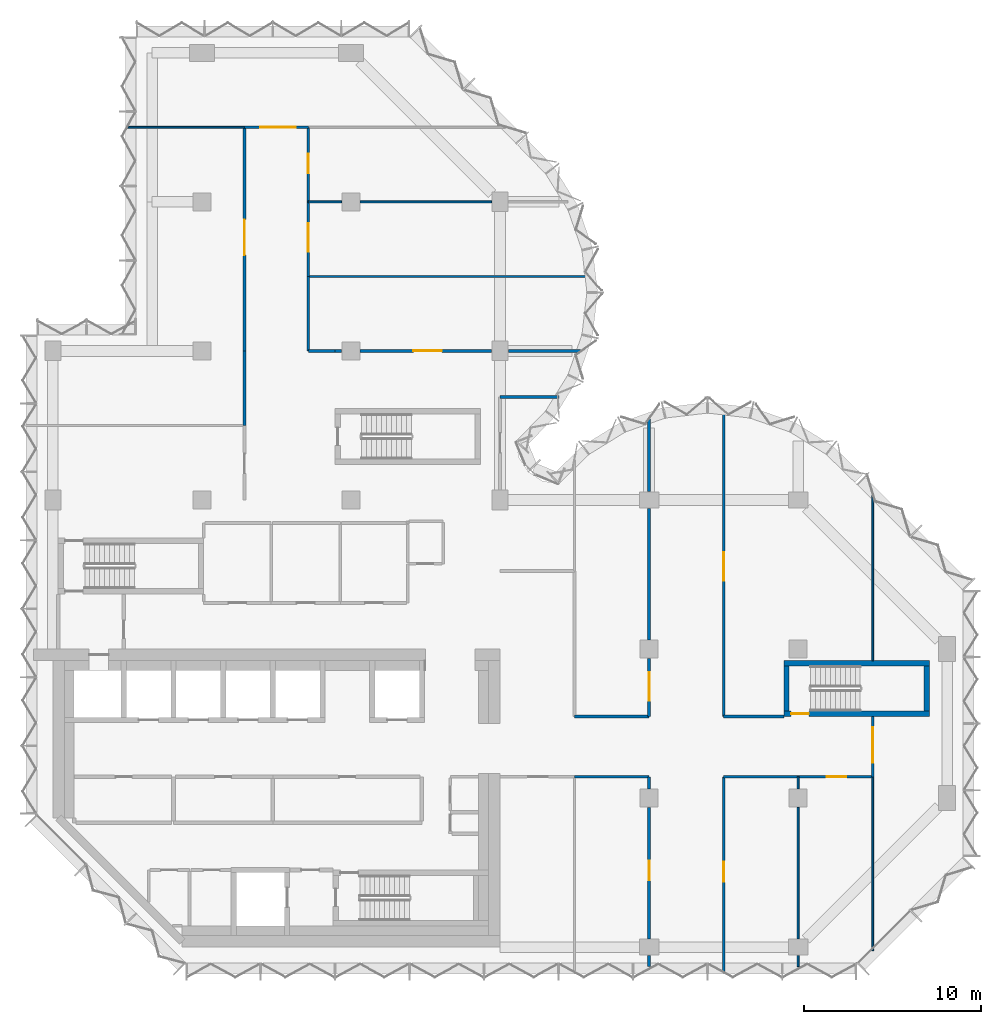
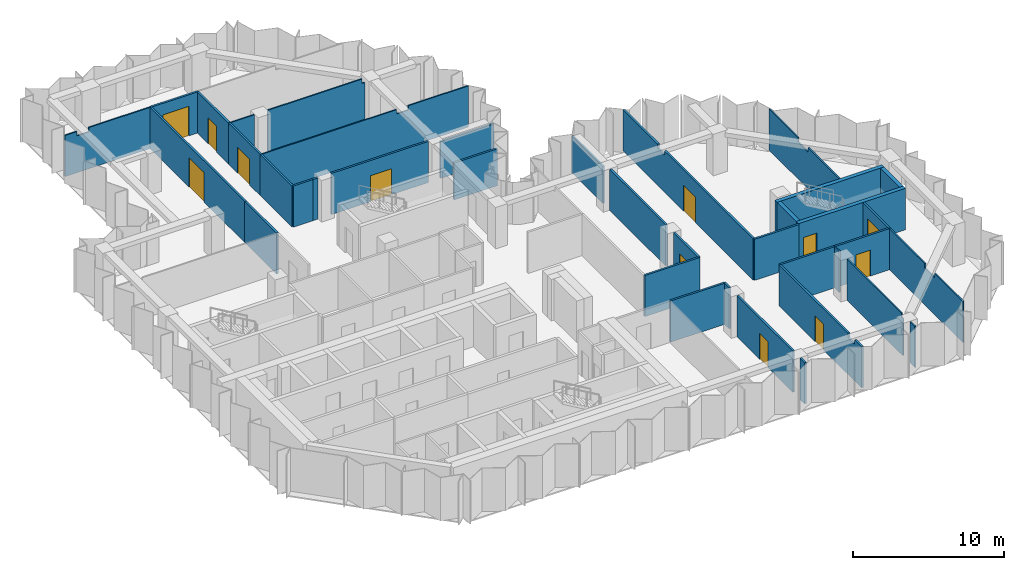
# One storey, part 7 of 10: 38 walls, 12 doors, 12 openings.
"""IFC4 building model written with IfcOpenShell, lengths in metres."""

from ifc_helpers import new_model, si_unit, direction, frame, frame_2d, origin, place, context, subcontext, project, spatial, polyline, rectangle, outline, extrude, material, layer, layer_set, type_object, element, fill, save


model = new_model("IFC4")

# Units and contexts
model_context = context("Model", 3, precision=1e-05, world=origin(), true_north=direction((0.0, 1.0)))
body_context = subcontext(model_context, "Body", "Model", "MODEL_VIEW")
ifc_project = project(units=[si_unit("LENGTHUNIT", "METRE"), si_unit("AREAUNIT", "SQUARE_METRE"), si_unit("VOLUMEUNIT", "CUBIC_METRE"), si_unit("PLANEANGLEUNIT", "RADIAN"), si_unit("MASSUNIT", "GRAM", prefix="KILO")], contexts=[model_context])

# Site, building, storey
site_placement = place(None, origin())
site = spatial("IfcSite", under=ifc_project, at=site_placement, CompositionType="ELEMENT")
building_placement = place(site_placement, origin())
building = spatial("IfcBuilding", under=site, at=building_placement, Name="Brevane Broadcast Tower", CompositionType="ELEMENT")
storey_placement = place(building_placement, frame((0.0, 0.0, 199.199951171875)))
storey = spatial("IfcBuildingStorey", under=building, at=storey_placement, Name="L50", CompositionType="ELEMENT", Elevation=199.199951171875)

# Wall, opening, door
ifc_material_1 = material(Name="Concrete C60/75", Category="concrete")
ifc_layer_1 = layer(ifc_material_1, 0.300048828125)
ifc_layer_set_1 = layer_set([ifc_layer_1], Name="Core wall 300 mm C60/75")
wall_type_1 = type_object("IfcWallType", Name="Core wall 300 mm C60/75", PredefinedType="SHEAR", material=ifc_layer_set_1)
wall_1_placement = place(storey_placement, frame((49.39990234375, 13.14990234375, 0.0), z_axis=(0.0, 0.0, 1.0), x_axis=(-1.0, 0.0, 0.0)))
wall_1 = element("IfcWall", 1, at=wall_1_placement, inside=storey, type_object=wall_type_1, Name="L50 stair wall ST-4-S", PredefinedType="SHEAR", context=body_context, shape_type="SweptSolid", body=[
    extrude(rectangle(XDim=8.199951171875, YDim=0.300048828125, at=frame_2d((4.10009765625, 0.0))), origin(), (0.0, 0.0, 1.0), 3.35009765625),
])
opening_1_placement = place(wall_1_placement, frame((6.800048828125, 0.0, 0.0)))
opening_1 = element("IfcOpeningElement", 2, at=opening_1_placement, cuts=wall_1, Name="Opening L50-K13", PredefinedType="OPENING", context=body_context, shape_type="SweptSolid", body=[
    extrude(rectangle(XDim=1.0, YDim=2.10009765625, at=frame_2d((0.5, 1.050048828125))), frame((0.0, 0.159912109375, 0.0), z_axis=(0.0, -1.0, 0.0), x_axis=(1.0, 0.0, 0.0)), (0.0, 0.0, 1.0), 0.320068359375),
])
ifc_material_2 = material(Name="Steel", Category="steel")
door_type_1 = type_object("IfcDoorType", Name="Stair door 1000 x 2100", OperationType="SINGLE_SWING_LEFT", PredefinedType="DOOR", material=ifc_material_2)
door_1_placement = place(opening_1_placement, origin())
door_1 = element("IfcDoor", 3, at=door_1_placement, inside=storey, type_object=door_type_1, Name="Door L50-K13", OperationType="SINGLE_SWING_RIGHT", OverallHeight=2.10009765625, OverallWidth=1.0, PredefinedType="DOOR", context=body_context, shape_type="SweptSolid", body=[
    extrude(rectangle(XDim=1.0, YDim=2.10009765625, at=frame_2d((0.5, 1.050048828125))), frame((0.0, 0.02490234375, 0.0), z_axis=(0.0, -1.0, 0.0), x_axis=(1.0, 0.0, 0.0)), (0.0, 0.0, 1.0), 0.050048828125),
])
fill(opening_1, door_1)

# Walls
wall_2_placement = place(storey_placement, frame((41.199951171875, 16.0, 0.0), z_axis=(0.0, 0.0, 1.0), x_axis=(1.0, 0.0, 0.0)))
element("IfcWall", 4, at=wall_2_placement, inside=storey, type_object=wall_type_1, Name="L50 stair wall ST-4-N", PredefinedType="SHEAR", context=body_context, shape_type="SweptSolid", body=[
    extrude(rectangle(XDim=8.199951171875, YDim=0.300048828125, at=frame_2d((4.10009765625, 0.0))), origin(), (0.0, 0.0, 1.0), 3.35009765625),
])
for number, where, z_axis, x_axis, name in (
    (5, (41.35009765625, 13.300048828125, 0.0), (0.0, 0.0, 1.0), (0.0, 1.0, 0.0), "L50 stair wall ST-4-W"),
    (6, (49.25, 13.300048828125, 0.0), (0.0, 0.0, 1.0), (0.0, 1.0, 0.0), "L50 stair wall ST-4-E"),
):
    element("IfcWall", number, at=place(storey_placement, frame(where, z_axis=z_axis, x_axis=x_axis)), inside=storey, type_object=wall_type_1, Name=name, PredefinedType="SHEAR", context=body_context, shape_type="SweptSolid", body=[
        extrude(rectangle(XDim=2.550048828125, YDim=0.300048828125, at=frame_2d((1.27490234375, 0.0))), origin(), (0.0, 0.0, 1.0), 3.35009765625),
    ])
ifc_material_3 = material(Name="Gypsum board partition")
ifc_layer_2 = layer(ifc_material_3, 0.10009765625)
ifc_layer_set_2 = layer_set([ifc_layer_2], Name="PARTITION 100 STUD")
wall_type_2 = type_object("IfcWallType", Name="PARTITION 100 STUD", PredefinedType="PARTITIONING", material=ifc_layer_set_2)
wall_3_placement = place(storey_placement, frame((46.199951171875, -0.199951171875, 0.0), z_axis=(0.0, 0.0, 1.0), x_axis=(0.0, 1.0, 0.0)))
element("IfcWall", 7, at=wall_3_placement, inside=storey, type_object=wall_type_2, Name="Partition G15-013", PredefinedType="PARTITIONING", context=body_context, shape_type="SweptSolid", body=[
    extrude(outline(polyline([(0.0, 0.0), (9.800048828125, 0.0), (9.800048828125, 3.330078125), (5.065673828125, 3.330078125), (5.063720703125, 2.97998046875), (3.736328125, 2.97998046875), (3.734375, 3.330078125), (0.0, 3.330078125), (0.0, 0.0)])), frame((0.0, 0.050048828125, 0.0), z_axis=(0.0, -1.0, 0.0), x_axis=(1.0, 0.0, 0.0)), (0.0, 0.0, 1.0), 0.10009765625),
])
wall_4_placement = place(storey_placement, frame((46.199951171875, 16.14990234375, 0.0), z_axis=(0.0, 0.0, 1.0), x_axis=(0.0, 1.0, 0.0)))
element("IfcWall", 8, at=wall_4_placement, inside=storey, type_object=wall_type_2, Name="Partition G15-014", PredefinedType="PARTITIONING", context=body_context, shape_type="SweptSolid", body=[
    extrude(outline(polyline([(0.0, 0.0), (9.3525390625, 0.0), (9.3525390625, 3.330078125), (9.25, 3.330078125), (5.515625, 3.330078125), (5.513671875, 2.97998046875), (4.186279296875, 2.97998046875), (4.184326171875, 3.330078125), (0.0, 3.330078125), (0.0, 0.0)])), frame((0.0, 0.050048828125, 0.0), z_axis=(0.0, -1.0, 0.0), x_axis=(1.0, 0.0, 0.0)), (0.0, 0.0, 1.0), 0.10009765625),
])
wall_5_placement = place(storey_placement, frame((42.0, 9.60009765625, 0.0), z_axis=(0.0, 0.0, 1.0), x_axis=(0.0, -1.0, 0.0)))
element("IfcWall", 9, at=wall_5_placement, inside=storey, type_object=wall_type_2, Name="Partition G15-020", PredefinedType="PARTITIONING", context=body_context, shape_type="SweptSolid", body=[
    extrude(rectangle(XDim=0.68017578125, YDim=0.10009765625, at=frame_2d((0.340087890625, 0.0))), origin(), (0.0, 0.0, 1.0), 3.330078125),
])
wall_6_placement = place(storey_placement, frame((42.0, 7.8798828125, 0.0), z_axis=(0.0, 0.0, 1.0), x_axis=(0.0, -1.0, 0.0)))
element("IfcWall", 10, at=wall_6_placement, inside=storey, type_object=wall_type_2, Name="Partition G15-021", PredefinedType="PARTITIONING", context=body_context, shape_type="SweptSolid", body=[
    extrude(outline(polyline([(0.0, 0.0), (7.409912109375, 0.0), (7.409912109375, 2.97998046875), (7.21630859375, 2.97998046875), (7.21435546875, 3.330078125), (0.0, 3.330078125), (0.0, 0.0)])), frame((0.0, 0.050048828125, 0.0), z_axis=(0.0, -1.0, 0.0), x_axis=(1.0, 0.0, 0.0)), (0.0, 0.0, 1.0), 0.10009765625),
])
wall_7_placement = place(storey_placement, frame((42.0, -0.469970703125, 0.0), z_axis=(0.0, 0.0, 1.0), x_axis=(0.0, -1.0, 0.0)))
element("IfcWall", 11, at=wall_7_placement, inside=storey, type_object=wall_type_2, Name="Partition G15-022", PredefinedType="PARTITIONING", context=body_context, shape_type="SweptSolid", body=[
    extrude(rectangle(XDim=0.630126953125, YDim=0.10009765625, at=frame_2d((0.31494140625, 0.0))), origin(), (0.0, 0.0, 1.0), 3.330078125),
])
wall_8_placement = place(storey_placement, frame((10.800048828125, 46.199951171875, 0.0), z_axis=(0.0, 0.0, 1.0), x_axis=(-1.0, 0.0, 0.0)))
element("IfcWall", 12, at=wall_8_placement, inside=storey, type_object=wall_type_2, Name="Partition G15-038", PredefinedType="PARTITIONING", context=body_context, shape_type="SweptSolid", body=[
    extrude(outline(polyline([(0.0, 0.0), (6.56494140625, 0.0), (6.56494140625, 3.330078125), (6.300048828125, 3.330078125), (5.64990234375, 3.330078125), (5.64794921875, 2.97998046875), (4.751953125, 2.97998046875), (4.75, 3.330078125), (0.0, 3.330078125), (0.0, 0.0)])), frame((0.0, 0.050048828125, 0.0), z_axis=(0.0, -1.0, 0.0), x_axis=(1.0, 0.0, 0.0)), (0.0, 0.0, 1.0), 0.10009765625),
])
wall_9_placement = place(storey_placement, frame((14.39990234375, 37.800048828125, 0.0), z_axis=(0.0, 0.0, 1.0), x_axis=(1.0, 0.0, 0.0)))
element("IfcWall", 13, at=wall_9_placement, inside=storey, type_object=wall_type_2, Name="Partition G15-041", PredefinedType="PARTITIONING", context=body_context, shape_type="SweptSolid", body=[
    extrude(outline(polyline([(0.0, 0.0), (15.8427734375, 0.0), (15.8427734375, 3.330078125), (11.25, 3.330078125), (11.248046875, 2.97998046875), (10.35205078125, 2.97998046875), (10.35009765625, 3.330078125), (0.0, 3.330078125), (0.0, 0.0)])), frame((0.0, 0.050048828125, 0.0), z_axis=(0.0, -1.0, 0.0), x_axis=(1.0, 0.0, 0.0)), (0.0, 0.0, 1.0), 0.10009765625),
])
wall_10_placement = place(storey_placement, frame((14.39990234375, 42.0, 0.0), z_axis=(0.0, 0.0, 1.0), x_axis=(1.0, 0.0, 0.0)))
element("IfcWall", 14, at=wall_10_placement, inside=storey, type_object=wall_type_2, Name="Partition G15-042", PredefinedType="PARTITIONING", context=body_context, shape_type="SweptSolid", body=[
    extrude(rectangle(XDim=1.880126953125, YDim=0.10009765625, at=frame_2d((0.93994140625, 0.0))), origin(), (0.0, 0.0, 1.0), 3.330078125),
])
wall_11_placement = place(storey_placement, frame((17.320068359375, 42.0, 0.0), z_axis=(0.0, 0.0, 1.0), x_axis=(1.0, 0.0, 0.0)))
element("IfcWall", 15, at=wall_11_placement, inside=storey, type_object=wall_type_2, Name="Partition G15-043", PredefinedType="PARTITIONING", context=body_context, shape_type="SweptSolid", body=[
    extrude(outline(polyline([(0.0, 0.0), (7.409912109375, 0.0), (7.409912109375, 2.97998046875), (7.21630859375, 2.97998046875), (7.21435546875, 3.330078125), (0.0, 3.330078125), (0.0, 0.0)])), frame((0.0, 0.050048828125, 0.0), z_axis=(0.0, -1.0, 0.0), x_axis=(1.0, 0.0, 0.0)), (0.0, 0.0, 1.0), 0.10009765625),
])
ifc_layer_3 = layer(ifc_material_3, 0.14990234375)
ifc_layer_set_3 = layer_set([ifc_layer_3], Name="PARTITION 150 EI 60")
wall_type_3 = type_object("IfcWallType", Name="PARTITION 150 EI 60", PredefinedType="PARTITIONING", material=ifc_layer_set_3)
wall_12_placement = place(storey_placement, frame((25.199951171875, 31.0, 0.0), z_axis=(0.0, 0.0, 1.0), x_axis=(1.0, 0.0, 0.0)))
element("IfcWall", 16, at=wall_12_placement, inside=storey, type_object=wall_type_3, Name="Partition G15-006", PredefinedType="PARTITIONING", context=body_context, shape_type="SweptSolid", body=[
    extrude(rectangle(XDim=3.32421875, YDim=0.14990234375, at=frame_2d((1.662109375, 0.0))), origin(), (0.0, 0.0, 1.0), 2.97998046875),
])

# Wall, opening, door
wall_13_placement = place(storey_placement, frame((46.199951171875, 13.0, 0.0), z_axis=(0.0, 0.0, 1.0), x_axis=(0.0, -1.0, 0.0)))
wall_13 = element("IfcWall", 17, at=wall_13_placement, inside=storey, type_object=wall_type_3, Name="Partition G15-007", PredefinedType="PARTITIONING", context=body_context, shape_type="SweptSolid", body=[
    extrude(rectangle(XDim=3.39990234375, YDim=0.14990234375, at=frame_2d((1.699951171875, 0.0))), origin(), (0.0, 0.0, 1.0), 3.330078125),
])
opening_2_placement = place(wall_13_placement, frame((0.60009765625, 0.0, 0.0)))
opening_2 = element("IfcOpeningElement", 18, at=opening_2_placement, cuts=wall_13, Name="Opening D24-002", PredefinedType="OPENING", context=body_context, shape_type="SweptSolid", body=[
    extrude(rectangle(XDim=2.0, YDim=2.39990234375, at=frame_2d((1.0, 1.199951171875))), frame((0.0, 0.0849609375, 0.0), z_axis=(0.0, -1.0, 0.0), x_axis=(1.0, 0.0, 0.0)), (0.0, 0.0, 1.0), 0.169921875),
])
ifc_material_4 = material(Name="Fire-rated timber door leaf", Category="wood")
door_type_2 = type_object("IfcDoorType", Name="DOOR DOUBLE 2000 FD30S", OperationType="DOUBLE_DOOR_SINGLE_SWING", PredefinedType="DOOR", material=ifc_material_4)
door_2_placement = place(opening_2_placement, origin())
door_2 = element("IfcDoor", 19, at=door_2_placement, inside=storey, type_object=door_type_2, Name="Door D24-002", OperationType="DOUBLE_DOOR_SINGLE_SWING", OverallHeight=2.39990234375, OverallWidth=2.0, PredefinedType="DOOR", context=body_context, shape_type="SweptSolid", body=[
    extrude(rectangle(XDim=2.0, YDim=2.39990234375, at=frame_2d((1.0, 1.199951171875))), frame((0.0, 0.02490234375, 0.0), z_axis=(0.0, -1.0, 0.0), x_axis=(1.0, 0.0, 0.0)), (0.0, 0.0, 1.0), 0.050048828125),
])
fill(opening_2, door_2)

# Walls
wall_14_placement = place(storey_placement, frame((33.60009765625, 9.60009765625, 0.0), z_axis=(0.0, 0.0, 1.0), x_axis=(-1.0, 0.0, 0.0)))
element("IfcWall", 20, at=wall_14_placement, inside=storey, type_object=wall_type_3, Name="Partition G15-008", PredefinedType="PARTITIONING", context=body_context, shape_type="SweptSolid", body=[
    extrude(rectangle(XDim=4.2001953125, YDim=0.14990234375, at=frame_2d((2.10009765625, 0.0))), origin(), (0.0, 0.0, 1.0), 3.330078125),
])
wall_15_placement = place(storey_placement, frame((42.0, 9.60009765625, 0.0), z_axis=(0.0, 0.0, 1.0), x_axis=(-1.0, 0.0, 0.0)))
element("IfcWall", 21, at=wall_15_placement, inside=storey, type_object=wall_type_3, Name="Partition G15-009", PredefinedType="PARTITIONING", context=body_context, shape_type="SweptSolid", body=[
    extrude(rectangle(XDim=4.199951171875, YDim=0.14990234375, at=frame_2d((2.10009765625, 0.0))), origin(), (0.0, 0.0, 1.0), 3.330078125),
])

# Wall, opening, door
wall_16_placement = place(storey_placement, frame((46.199951171875, 9.60009765625, 0.0), z_axis=(0.0, 0.0, 1.0), x_axis=(-1.0, 0.0, 0.0)))
wall_16 = element("IfcWall", 22, at=wall_16_placement, inside=storey, type_object=wall_type_3, Name="Partition G15-010", PredefinedType="PARTITIONING", context=body_context, shape_type="SweptSolid", body=[
    extrude(rectangle(XDim=4.199951171875, YDim=0.14990234375, at=frame_2d((2.10009765625, 0.0))), origin(), (0.0, 0.0, 1.0), 3.330078125),
])
opening_3_placement = place(wall_16_placement, frame((1.5, 0.0, 0.0)))
opening_3 = element("IfcOpeningElement", 23, at=opening_3_placement, cuts=wall_16, Name="Opening D24-006", PredefinedType="OPENING", context=body_context, shape_type="SweptSolid", body=[
    extrude(rectangle(XDim=1.10009765625, YDim=2.10009765625, at=frame_2d((0.550048828125, 1.050048828125))), frame((0.0, 0.0849609375, 0.0), z_axis=(0.0, -1.0, 0.0), x_axis=(1.0, 0.0, 0.0)), (0.0, 0.0, 1.0), 0.169921875),
])
door_type_3 = type_object("IfcDoorType", Name="DOOR SINGLE 1100 FD30S", OperationType="SINGLE_SWING_LEFT", PredefinedType="DOOR", material=ifc_material_4)
door_3_placement = place(opening_3_placement, origin())
door_3 = element("IfcDoor", 24, at=door_3_placement, inside=storey, type_object=door_type_3, Name="Door D24-006", OperationType="SINGLE_SWING_LEFT", OverallHeight=2.10009765625, OverallWidth=1.10009765625, PredefinedType="DOOR", context=body_context, shape_type="SweptSolid", body=[
    extrude(rectangle(XDim=1.10009765625, YDim=2.10009765625, at=frame_2d((0.550048828125, 1.050048828125))), frame((0.0, 0.02490234375, 0.0), z_axis=(0.0, -1.0, 0.0), x_axis=(1.0, 0.0, 0.0)), (0.0, 0.0, 1.0), 0.050048828125),
])
fill(opening_3, door_3)

# Walls
wall_17_placement = place(storey_placement, frame((29.39990234375, 13.0, 0.0), z_axis=(0.0, 0.0, 1.0), x_axis=(1.0, 0.0, 0.0)))
element("IfcWall", 25, at=wall_17_placement, inside=storey, type_object=wall_type_3, Name="Partition G15-011", PredefinedType="PARTITIONING", context=body_context, shape_type="SweptSolid", body=[
    extrude(rectangle(XDim=4.2001953125, YDim=0.14990234375, at=frame_2d((2.10009765625, 0.0))), origin(), (0.0, 0.0, 1.0), 3.330078125),
])
wall_18_placement = place(storey_placement, frame((37.800048828125, 13.0, 0.0), z_axis=(0.0, 0.0, 1.0), x_axis=(1.0, 0.0, 0.0)))
element("IfcWall", 26, at=wall_18_placement, inside=storey, type_object=wall_type_3, Name="Partition G15-012", PredefinedType="PARTITIONING", context=body_context, shape_type="SweptSolid", body=[
    extrude(rectangle(XDim=3.39990234375, YDim=0.14990234375, at=frame_2d((1.699951171875, 0.0))), origin(), (0.0, 0.0, 1.0), 3.330078125),
])
wall_19_placement = place(storey_placement, frame((33.60009765625, -1.10009765625, 0.0), z_axis=(0.0, 0.0, 1.0), x_axis=(0.0, 1.0, 0.0)))
element("IfcWall", 27, at=wall_19_placement, inside=storey, type_object=wall_type_3, Name="Partition G15-015", PredefinedType="PARTITIONING", context=body_context, shape_type="SweptSolid", body=[
    extrude(rectangle(XDim=0.630126953125, YDim=0.14990234375, at=frame_2d((0.31494140625, 0.0))), origin(), (0.0, 0.0, 1.0), 3.330078125),
])

# Wall, opening, door
wall_20_placement = place(storey_placement, frame((33.60009765625, 0.469970703125, 0.0), z_axis=(0.0, 0.0, 1.0), x_axis=(0.0, 1.0, 0.0)))
wall_20 = element("IfcWall", 28, at=wall_20_placement, inside=storey, type_object=wall_type_3, Name="Partition G15-016", PredefinedType="PARTITIONING", context=body_context, shape_type="SweptSolid", body=[
    extrude(rectangle(XDim=7.409912109375, YDim=0.14990234375, at=frame_2d((3.705078125, 0.0))), origin(), (0.0, 0.0, 1.0), 3.330078125),
])
opening_4_placement = place(wall_20_placement, frame((3.300048828125, 0.0, 0.0)))
opening_4 = element("IfcOpeningElement", 29, at=opening_4_placement, cuts=wall_20, Name="Opening D24-004", PredefinedType="OPENING", context=body_context, shape_type="SweptSolid", body=[
    extrude(rectangle(XDim=1.10009765625, YDim=2.10009765625, at=frame_2d((0.550048828125, 1.050048828125))), frame((0.0, 0.0849609375, 0.0), z_axis=(0.0, -1.0, 0.0), x_axis=(1.0, 0.0, 0.0)), (0.0, 0.0, 1.0), 0.169921875),
])
door_4_placement = place(opening_4_placement, origin())
door_4 = element("IfcDoor", 30, at=door_4_placement, inside=storey, type_object=door_type_3, Name="Door D24-004", OperationType="SINGLE_SWING_LEFT", OverallHeight=2.10009765625, OverallWidth=1.10009765625, PredefinedType="DOOR", context=body_context, shape_type="SweptSolid", body=[
    extrude(rectangle(XDim=1.10009765625, YDim=2.10009765625, at=frame_2d((0.550048828125, 1.050048828125))), frame((0.0, 0.02490234375, 0.0), z_axis=(0.0, -1.0, 0.0), x_axis=(1.0, 0.0, 0.0)), (0.0, 0.0, 1.0), 0.050048828125),
])
fill(opening_4, door_4)

# Wall
wall_21_placement = place(storey_placement, frame((33.60009765625, 8.919921875, 0.0), z_axis=(0.0, 0.0, 1.0), x_axis=(0.0, 1.0, 0.0)))
element("IfcWall", 31, at=wall_21_placement, inside=storey, type_object=wall_type_3, Name="Partition G15-017", PredefinedType="PARTITIONING", context=body_context, shape_type="SweptSolid", body=[
    extrude(rectangle(XDim=0.68017578125, YDim=0.14990234375, at=frame_2d((0.340087890625, 0.0))), origin(), (0.0, 0.0, 1.0), 3.330078125),
])

# Wall, opening, door
wall_22_placement = place(storey_placement, frame((37.800048828125, 9.60009765625, 0.0), z_axis=(0.0, 0.0, 1.0), x_axis=(0.0, -1.0, 0.0)))
wall_22 = element("IfcWall", 32, at=wall_22_placement, inside=storey, type_object=wall_type_3, Name="Partition G15-018", PredefinedType="PARTITIONING", context=body_context, shape_type="SweptSolid", body=[
    extrude(outline(polyline([(0.0, 0.0), (10.965087890625, 0.0), (10.965087890625, 3.330078125), (10.699951171875, 3.330078125), (10.050048828125, 3.330078125), (10.048095703125, 2.97998046875), (9.152099609375, 2.97998046875), (9.14990234375, 3.330078125), (0.0, 3.330078125), (0.0, 0.0)])), frame((0.0, 0.074951171875, 0.0), z_axis=(0.0, -1.0, 0.0), x_axis=(1.0, 0.0, 0.0)), (0.0, 0.0, 1.0), 0.14990234375),
])
opening_5_placement = place(wall_22_placement, frame((4.800048828125, 0.0, 0.0)))
opening_5 = element("IfcOpeningElement", 33, at=opening_5_placement, cuts=wall_22, Name="Opening D24-005", PredefinedType="OPENING", context=body_context, shape_type="SweptSolid", body=[
    extrude(rectangle(XDim=1.10009765625, YDim=2.10009765625, at=frame_2d((0.550048828125, 1.050048828125))), frame((0.0, 0.0849609375, 0.0), z_axis=(0.0, -1.0, 0.0), x_axis=(1.0, 0.0, 0.0)), (0.0, 0.0, 1.0), 0.169921875),
])
door_5_placement = place(opening_5_placement, origin())
door_5 = element("IfcDoor", 34, at=door_5_placement, inside=storey, type_object=door_type_3, Name="Door D24-005", OperationType="SINGLE_SWING_LEFT", OverallHeight=2.10009765625, OverallWidth=1.10009765625, PredefinedType="DOOR", context=body_context, shape_type="SweptSolid", body=[
    extrude(rectangle(XDim=1.10009765625, YDim=2.10009765625, at=frame_2d((0.550048828125, 1.050048828125))), frame((0.0, 0.02490234375, 0.0), z_axis=(0.0, -1.0, 0.0), x_axis=(1.0, 0.0, 0.0)), (0.0, 0.0, 1.0), 0.050048828125),
])
fill(opening_5, door_5)

wall_23_placement = place(storey_placement, frame((33.60009765625, 13.0, 0.0), z_axis=(0.0, 0.0, 1.0), x_axis=(0.0, 1.0, 0.0)))
wall_23 = element("IfcWall", 35, at=wall_23_placement, inside=storey, type_object=wall_type_3, Name="Partition G15-023", PredefinedType="PARTITIONING", context=body_context, shape_type="SweptSolid", body=[
    extrude(rectangle(XDim=3.280029296875, YDim=0.14990234375, at=frame_2d((1.64013671875, 0.0))), origin(), (0.0, 0.0, 1.0), 3.330078125),
])
opening_6_placement = place(wall_23_placement, frame((0.89990234375, 0.0, 0.0)))
opening_6 = element("IfcOpeningElement", 36, at=opening_6_placement, cuts=wall_23, Name="Opening D24-007", PredefinedType="OPENING", context=body_context, shape_type="SweptSolid", body=[
    extrude(rectangle(XDim=1.60009765625, YDim=2.10009765625, at=frame_2d((0.800048828125, 1.050048828125))), frame((0.0, 0.0849609375, 0.0), z_axis=(0.0, -1.0, 0.0), x_axis=(1.0, 0.0, 0.0)), (0.0, 0.0, 1.0), 0.169921875),
])
door_type_4 = type_object("IfcDoorType", Name="DOOR DOUBLE 1600 FD30S", OperationType="DOUBLE_DOOR_SINGLE_SWING", PredefinedType="DOOR", material=ifc_material_4)
door_6_placement = place(opening_6_placement, origin())
door_6 = element("IfcDoor", 37, at=door_6_placement, inside=storey, type_object=door_type_4, Name="Door D24-007", OperationType="DOUBLE_DOOR_SINGLE_SWING", OverallHeight=2.10009765625, OverallWidth=1.60009765625, PredefinedType="DOOR", context=body_context, shape_type="SweptSolid", body=[
    extrude(rectangle(XDim=1.60009765625, YDim=2.10009765625, at=frame_2d((0.800048828125, 1.050048828125))), frame((0.0, 0.02490234375, 0.0), z_axis=(0.0, -1.0, 0.0), x_axis=(1.0, 0.0, 0.0)), (0.0, 0.0, 1.0), 0.050048828125),
])
fill(opening_6, door_6)

# Walls
wall_24_placement = place(storey_placement, frame((33.60009765625, 17.320068359375, 0.0), z_axis=(0.0, 0.0, 1.0), x_axis=(0.0, 1.0, 0.0)))
element("IfcWall", 38, at=wall_24_placement, inside=storey, type_object=wall_type_3, Name="Partition G15-024", PredefinedType="PARTITIONING", context=body_context, shape_type="SweptSolid", body=[
    extrude(rectangle(XDim=7.409912109375, YDim=0.14990234375, at=frame_2d((3.705078125, 0.0))), origin(), (0.0, 0.0, 1.0), 3.330078125),
])
wall_25_placement = place(storey_placement, frame((33.60009765625, 25.669921875, 0.0), z_axis=(0.0, 0.0, 1.0), x_axis=(0.0, 1.0, 0.0)))
element("IfcWall", 39, at=wall_25_placement, inside=storey, type_object=wall_type_3, Name="Partition G15-025", PredefinedType="PARTITIONING", context=body_context, shape_type="SweptSolid", body=[
    extrude(rectangle(XDim=4.092041015625, YDim=0.14990234375, at=frame_2d((2.0458984375, 0.0))), origin(), (0.0, 0.0, 1.0), 2.97998046875),
])

# Wall, opening, door
wall_26_placement = place(storey_placement, frame((37.800048828125, 30.24267578125, 0.0), z_axis=(0.0, 0.0, 1.0), x_axis=(0.0, -1.0, 0.0)))
wall_26 = element("IfcWall", 40, at=wall_26_placement, inside=storey, type_object=wall_type_3, Name="Partition G15-026", PredefinedType="PARTITIONING", context=body_context, shape_type="SweptSolid", body=[
    extrude(outline(polyline([(0.0, 0.0), (17.24267578125, 0.0), (17.24267578125, 3.330078125), (5.49267578125, 3.330078125), (5.49072265625, 2.97998046875), (4.5947265625, 2.97998046875), (4.5927734375, 3.330078125), (0.0, 3.330078125), (0.0, 0.0)])), frame((0.0, 0.074951171875, 0.0), z_axis=(0.0, -1.0, 0.0), x_axis=(1.0, 0.0, 0.0)), (0.0, 0.0, 1.0), 0.14990234375),
])
opening_7_placement = place(wall_26_placement, frame((8.0, 0.0, 0.0)))
opening_7 = element("IfcOpeningElement", 41, at=opening_7_placement, cuts=wall_26, Name="Opening D24-008", PredefinedType="OPENING", context=body_context, shape_type="SweptSolid", body=[
    extrude(rectangle(XDim=1.60009765625, YDim=2.10009765625, at=frame_2d((0.800048828125, 1.050048828125))), frame((0.0, 0.0849609375, 0.0), z_axis=(0.0, -1.0, 0.0), x_axis=(1.0, 0.0, 0.0)), (0.0, 0.0, 1.0), 0.169921875),
])
door_7_placement = place(opening_7_placement, origin())
door_7 = element("IfcDoor", 42, at=door_7_placement, inside=storey, type_object=door_type_4, Name="Door D24-008", OperationType="DOUBLE_DOOR_SINGLE_SWING", OverallHeight=2.10009765625, OverallWidth=1.60009765625, PredefinedType="DOOR", context=body_context, shape_type="SweptSolid", body=[
    extrude(rectangle(XDim=1.60009765625, YDim=2.10009765625, at=frame_2d((0.800048828125, 1.050048828125))), frame((0.0, 0.02490234375, 0.0), z_axis=(0.0, -1.0, 0.0), x_axis=(1.0, 0.0, 0.0)), (0.0, 0.0, 1.0), 0.050048828125),
])
fill(opening_7, door_7)

# Walls
wall_27_placement = place(storey_placement, frame((10.800048828125, 29.39990234375, 0.0), z_axis=(0.0, 0.0, 1.0), x_axis=(0.0, 1.0, 0.0)))
element("IfcWall", 43, at=wall_27_placement, inside=storey, type_object=wall_type_3, Name="Partition G15-028", PredefinedType="PARTITIONING", context=body_context, shape_type="SweptSolid", body=[
    extrude(rectangle(XDim=4.2001953125, YDim=0.14990234375, at=frame_2d((2.10009765625, 0.0))), origin(), (0.0, 0.0, 1.0), 3.330078125),
])
wall_28_placement = place(storey_placement, frame((14.39990234375, 33.60009765625, 0.0), z_axis=(0.0, 0.0, 1.0), x_axis=(1.0, 0.0, 0.0)))
element("IfcWall", 44, at=wall_28_placement, inside=storey, type_object=wall_type_3, Name="Partition G15-029", PredefinedType="PARTITIONING", context=body_context, shape_type="SweptSolid", body=[
    extrude(rectangle(XDim=1.5, YDim=0.14990234375, at=frame_2d((0.75, 0.0))), origin(), (0.0, 0.0, 1.0), 3.330078125),
])
wall_29_placement = place(storey_placement, frame((15.89990234375, 33.60009765625, 0.0), z_axis=(0.0, 0.0, 1.0), x_axis=(1.0, 0.0, 0.0)))
element("IfcWall", 45, at=wall_29_placement, inside=storey, type_object=wall_type_3, Name="Partition G15-030", PredefinedType="PARTITIONING", context=body_context, shape_type="SweptSolid", body=[
    extrude(rectangle(XDim=0.380126953125, YDim=0.14990234375, at=frame_2d((0.18994140625, 0.0))), origin(), (0.0, 0.0, 1.0), 3.330078125),
])

# Wall, opening, door
wall_30_placement = place(storey_placement, frame((17.320068359375, 33.60009765625, 0.0), z_axis=(0.0, 0.0, 1.0), x_axis=(1.0, 0.0, 0.0)))
wall_30 = element("IfcWall", 46, at=wall_30_placement, inside=storey, type_object=wall_type_3, Name="Partition G15-031", PredefinedType="PARTITIONING", context=body_context, shape_type="SweptSolid", body=[
    extrude(rectangle(XDim=7.409912109375, YDim=0.14990234375, at=frame_2d((3.705078125, 0.0))), origin(), (0.0, 0.0, 1.0), 3.330078125),
])
opening_8_placement = place(wall_30_placement, frame((3.0, 0.0, 0.0)))
opening_8 = element("IfcOpeningElement", 47, at=opening_8_placement, cuts=wall_30, Name="Opening D24-012", PredefinedType="OPENING", context=body_context, shape_type="SweptSolid", body=[
    extrude(rectangle(XDim=1.60009765625, YDim=2.10009765625, at=frame_2d((0.800048828125, 1.050048828125))), frame((0.0, 0.0849609375, 0.0), z_axis=(0.0, -1.0, 0.0), x_axis=(1.0, 0.0, 0.0)), (0.0, 0.0, 1.0), 0.169921875),
])
door_8_placement = place(opening_8_placement, origin())
door_8 = element("IfcDoor", 48, at=door_8_placement, inside=storey, type_object=door_type_4, Name="Door D24-012", OperationType="DOUBLE_DOOR_SINGLE_SWING", OverallHeight=2.10009765625, OverallWidth=1.60009765625, PredefinedType="DOOR", context=body_context, shape_type="SweptSolid", body=[
    extrude(rectangle(XDim=1.60009765625, YDim=2.10009765625, at=frame_2d((0.800048828125, 1.050048828125))), frame((0.0, 0.02490234375, 0.0), z_axis=(0.0, -1.0, 0.0), x_axis=(1.0, 0.0, 0.0)), (0.0, 0.0, 1.0), 0.050048828125),
])
fill(opening_8, door_8)

# Wall
wall_31_placement = place(storey_placement, frame((25.669921875, 33.60009765625, 0.0), z_axis=(0.0, 0.0, 1.0), x_axis=(1.0, 0.0, 0.0)))
element("IfcWall", 49, at=wall_31_placement, inside=storey, type_object=wall_type_3, Name="Partition G15-032", PredefinedType="PARTITIONING", context=body_context, shape_type="SweptSolid", body=[
    extrude(rectangle(XDim=4.092041015625, YDim=0.14990234375, at=frame_2d((2.0458984375, 0.0))), origin(), (0.0, 0.0, 1.0), 2.97998046875),
])

# Wall, opening, door
wall_32_placement = place(storey_placement, frame((10.800048828125, 46.199951171875, 0.0), z_axis=(0.0, 0.0, 1.0), x_axis=(1.0, 0.0, 0.0)))
wall_32 = element("IfcWall", 50, at=wall_32_placement, inside=storey, type_object=wall_type_3, Name="Partition G15-033", PredefinedType="PARTITIONING", context=body_context, shape_type="SweptSolid", body=[
    extrude(rectangle(XDim=3.599853515625, YDim=0.14990234375, at=frame_2d((1.7998046875, 0.0))), origin(), (0.0, 0.0, 1.0), 3.330078125),
])
opening_9_placement = place(wall_32_placement, frame((0.89990234375, 0.0, 0.0)))
opening_9 = element("IfcOpeningElement", 51, at=opening_9_placement, cuts=wall_32, Name="Opening D24-009", PredefinedType="OPENING", context=body_context, shape_type="SweptSolid", body=[
    extrude(rectangle(XDim=2.0, YDim=2.39990234375, at=frame_2d((1.0, 1.199951171875))), frame((0.0, 0.0849609375, 0.0), z_axis=(0.0, -1.0, 0.0), x_axis=(1.0, 0.0, 0.0)), (0.0, 0.0, 1.0), 0.169921875),
])
door_9_placement = place(opening_9_placement, origin())
door_9 = element("IfcDoor", 52, at=door_9_placement, inside=storey, type_object=door_type_2, Name="Door D24-009", OperationType="DOUBLE_DOOR_SINGLE_SWING", OverallHeight=2.39990234375, OverallWidth=2.0, PredefinedType="DOOR", context=body_context, shape_type="SweptSolid", body=[
    extrude(rectangle(XDim=2.0, YDim=2.39990234375, at=frame_2d((1.0, 1.199951171875))), frame((0.0, 0.02490234375, 0.0), z_axis=(0.0, -1.0, 0.0), x_axis=(1.0, 0.0, 0.0)), (0.0, 0.0, 1.0), 0.050048828125),
])
fill(opening_9, door_9)

wall_33_placement = place(storey_placement, frame((10.800048828125, 33.60009765625, 0.0), z_axis=(0.0, 0.0, 1.0), x_axis=(0.0, 1.0, 0.0)))
wall_33 = element("IfcWall", 53, at=wall_33_placement, inside=storey, type_object=wall_type_3, Name="Partition G15-034", PredefinedType="PARTITIONING", context=body_context, shape_type="SweptSolid", body=[
    extrude(rectangle(XDim=12.599853515625, YDim=0.14990234375, at=frame_2d((6.2998046875, 0.0))), origin(), (0.0, 0.0, 1.0), 3.330078125),
])
opening_10_placement = place(wall_33_placement, frame((5.39990234375, 0.0, 0.0)))
opening_10 = element("IfcOpeningElement", 54, at=opening_10_placement, cuts=wall_33, Name="Opening D24-011", PredefinedType="OPENING", context=body_context, shape_type="SweptSolid", body=[
    extrude(rectangle(XDim=2.0, YDim=2.39990234375, at=frame_2d((1.0, 1.199951171875))), frame((0.0, 0.0849609375, 0.0), z_axis=(0.0, -1.0, 0.0), x_axis=(1.0, 0.0, 0.0)), (0.0, 0.0, 1.0), 0.169921875),
])
door_10_placement = place(opening_10_placement, origin())
door_10 = element("IfcDoor", 55, at=door_10_placement, inside=storey, type_object=door_type_2, Name="Door D24-011", OperationType="DOUBLE_DOOR_SINGLE_SWING", OverallHeight=2.39990234375, OverallWidth=2.0, PredefinedType="DOOR", context=body_context, shape_type="SweptSolid", body=[
    extrude(rectangle(XDim=2.0, YDim=2.39990234375, at=frame_2d((1.0, 1.199951171875))), frame((0.0, 0.02490234375, 0.0), z_axis=(0.0, -1.0, 0.0), x_axis=(1.0, 0.0, 0.0)), (0.0, 0.0, 1.0), 0.050048828125),
])
fill(opening_10, door_10)

# Wall
wall_34_placement = place(storey_placement, frame((14.39990234375, 37.800048828125, 0.0), z_axis=(0.0, 0.0, 1.0), x_axis=(0.0, -1.0, 0.0)))
element("IfcWall", 56, at=wall_34_placement, inside=storey, type_object=wall_type_3, Name="Partition G15-035", PredefinedType="PARTITIONING", context=body_context, shape_type="SweptSolid", body=[
    extrude(rectangle(XDim=4.199951171875, YDim=0.14990234375, at=frame_2d((2.10009765625, 0.0))), origin(), (0.0, 0.0, 1.0), 3.330078125),
])

# Wall, opening, door
wall_35_placement = place(storey_placement, frame((14.39990234375, 42.0, 0.0), z_axis=(0.0, 0.0, 1.0), x_axis=(0.0, -1.0, 0.0)))
wall_35 = element("IfcWall", 57, at=wall_35_placement, inside=storey, type_object=wall_type_3, Name="Partition G15-036", PredefinedType="PARTITIONING", context=body_context, shape_type="SweptSolid", body=[
    extrude(rectangle(XDim=4.199951171875, YDim=0.14990234375, at=frame_2d((2.10009765625, 0.0))), origin(), (0.0, 0.0, 1.0), 3.330078125),
])
opening_11_placement = place(wall_35_placement, frame((1.199951171875, 0.0, 0.0)))
opening_11 = element("IfcOpeningElement", 58, at=opening_11_placement, cuts=wall_35, Name="Opening D24-013", PredefinedType="OPENING", context=body_context, shape_type="SweptSolid", body=[
    extrude(rectangle(XDim=1.60009765625, YDim=2.10009765625, at=frame_2d((0.800048828125, 1.050048828125))), frame((0.0, 0.0849609375, 0.0), z_axis=(0.0, -1.0, 0.0), x_axis=(1.0, 0.0, 0.0)), (0.0, 0.0, 1.0), 0.169921875),
])
door_11_placement = place(opening_11_placement, origin())
door_11 = element("IfcDoor", 59, at=door_11_placement, inside=storey, type_object=door_type_4, Name="Door D24-013", OperationType="DOUBLE_DOOR_SINGLE_SWING", OverallHeight=2.10009765625, OverallWidth=1.60009765625, PredefinedType="DOOR", context=body_context, shape_type="SweptSolid", body=[
    extrude(rectangle(XDim=1.60009765625, YDim=2.10009765625, at=frame_2d((0.800048828125, 1.050048828125))), frame((0.0, 0.02490234375, 0.0), z_axis=(0.0, -1.0, 0.0), x_axis=(1.0, 0.0, 0.0)), (0.0, 0.0, 1.0), 0.050048828125),
])
fill(opening_11, door_11)

wall_36_placement = place(storey_placement, frame((14.39990234375, 46.199951171875, 0.0), z_axis=(0.0, 0.0, 1.0), x_axis=(0.0, -1.0, 0.0)))
wall_36 = element("IfcWall", 60, at=wall_36_placement, inside=storey, type_object=wall_type_3, Name="Partition G15-037", PredefinedType="PARTITIONING", context=body_context, shape_type="SweptSolid", body=[
    extrude(rectangle(XDim=4.199951171875, YDim=0.14990234375, at=frame_2d((2.10009765625, 0.0))), origin(), (0.0, 0.0, 1.0), 3.330078125),
])
opening_12_placement = place(wall_36_placement, frame((1.5, 0.0, 0.0)))
opening_12 = element("IfcOpeningElement", 61, at=opening_12_placement, cuts=wall_36, Name="Opening D24-014", PredefinedType="OPENING", context=body_context, shape_type="SweptSolid", body=[
    extrude(rectangle(XDim=1.10009765625, YDim=2.10009765625, at=frame_2d((0.550048828125, 1.050048828125))), frame((0.0, 0.0849609375, 0.0), z_axis=(0.0, -1.0, 0.0), x_axis=(1.0, 0.0, 0.0)), (0.0, 0.0, 1.0), 0.169921875),
])
door_12_placement = place(opening_12_placement, origin())
door_12 = element("IfcDoor", 62, at=door_12_placement, inside=storey, type_object=door_type_3, Name="Door D24-014", OperationType="SINGLE_SWING_LEFT", OverallHeight=2.10009765625, OverallWidth=1.10009765625, PredefinedType="DOOR", context=body_context, shape_type="SweptSolid", body=[
    extrude(rectangle(XDim=1.10009765625, YDim=2.10009765625, at=frame_2d((0.550048828125, 1.050048828125))), frame((0.0, 0.02490234375, 0.0), z_axis=(0.0, -1.0, 0.0), x_axis=(1.0, 0.0, 0.0)), (0.0, 0.0, 1.0), 0.050048828125),
])
fill(opening_12, door_12)

save(model, "model.ifc")
